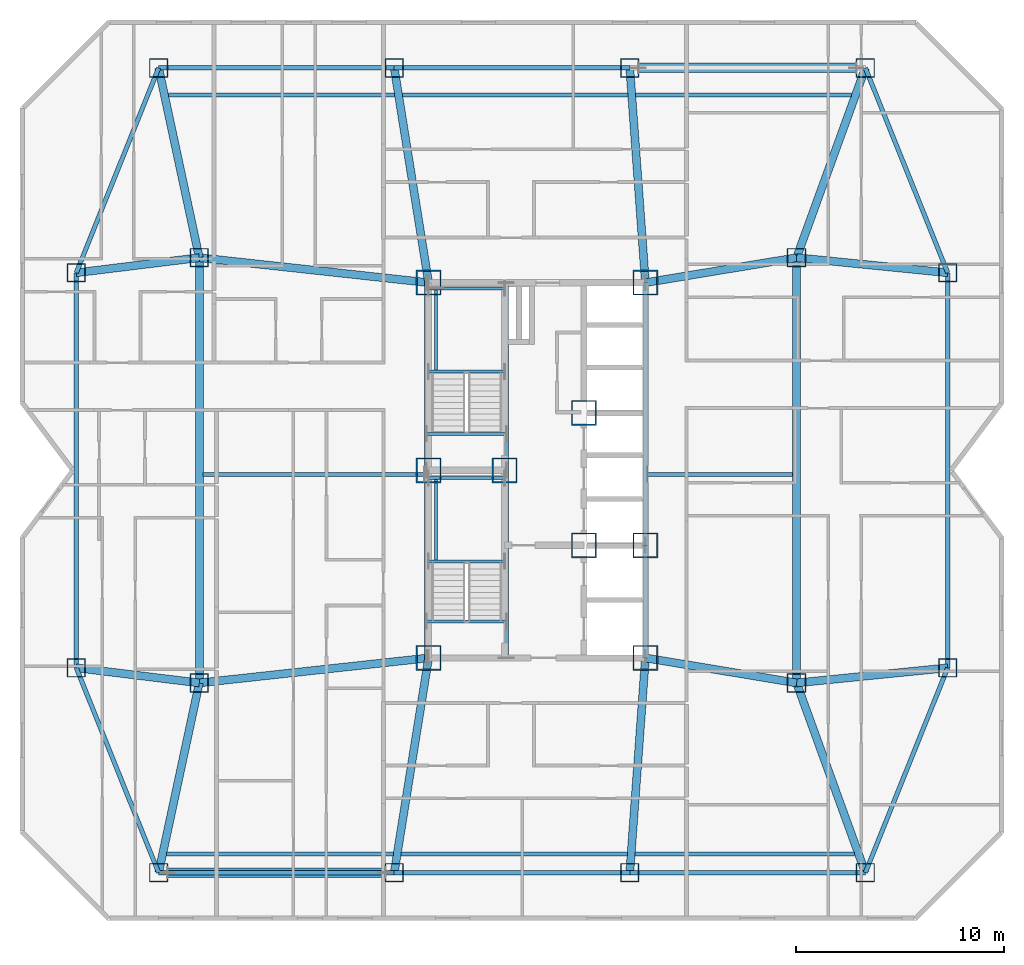
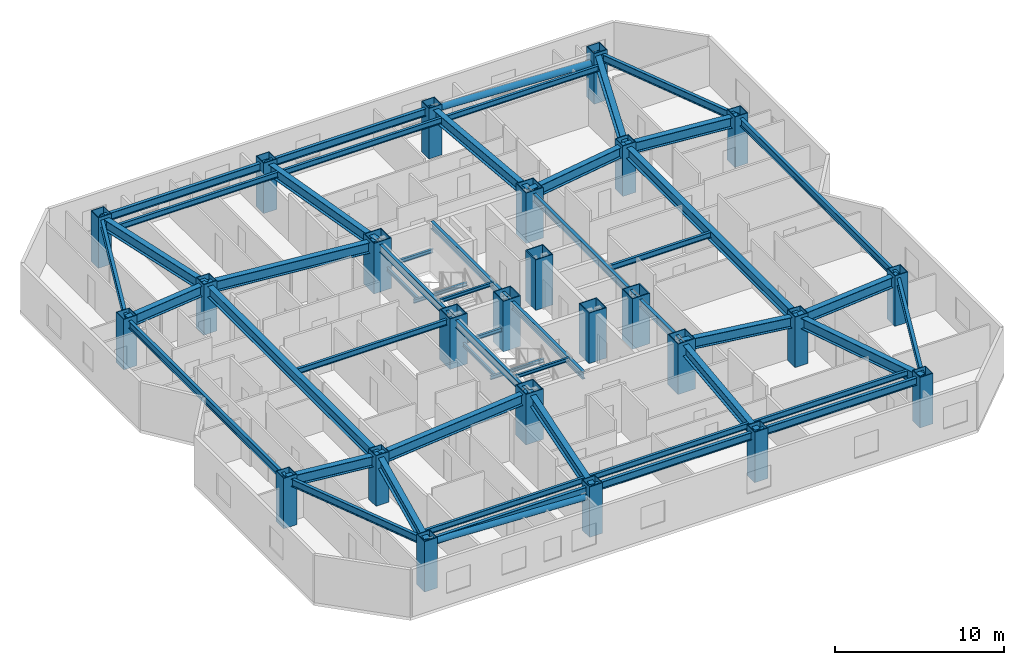
# One storey, part 1 of 12: 51 beams, 25 columns, 2 members.
"""IFC4 building model written with IfcOpenShell, lengths in metres."""

import ifcopenshell
import ifcopenshell.guid

model = None  # the IFC model being written
_history = None  # IfcOwnerHistory: only IFC2X3 demands one
_inside = {}  # id of a spatial element -> (the spatial element, [elements in it])
_under = {}  # id of a project, library or spatial element -> (it, [spatial elements below it])
_declared = {}  # id of a project -> (the project, [libraries it declares])
_typed = {}  # id of a type object -> (the type object, [elements of that type])
_made_of = {}  # id of a material, layer set ... -> (it, [elements and type objects made of it])


def new_model(schema):
    """Start an empty IFC model of exactly this schema.

    Asked for "IFC4X3", IfcOpenShell would pick the latest addendum, in which some entities
    have other attributes; the version numbers below select the first issue.
    IFC2X3 requires an IfcOwnerHistory on every rooted entity: one is made here for all.
    """
    global model, _history
    if schema == "IFC4X3":
        model = ifcopenshell.file(schema_version=(4, 3, 0, 0))
    else:
        model = ifcopenshell.file(schema=schema)
    _inside.clear()
    _under.clear()
    _declared.clear()
    _typed.clear()
    _made_of.clear()
    _history = None
    if model.schema == "IFC2X3":
        org = make("IfcOrganization", Name="unknown")
        user = make(
            "IfcPersonAndOrganization",
            ThePerson=make("IfcPerson", FamilyName="unknown"),
            TheOrganization=org,
        )
        app = make(
            "IfcApplication",
            ApplicationDeveloper=org,
            Version="unknown",
            ApplicationFullName="unknown",
            ApplicationIdentifier="unknown",
        )
        _history = make(
            "IfcOwnerHistory",
            OwningUser=user,
            OwningApplication=app,
            ChangeAction="ADDED",
            CreationDate=0,
        )
    return model


def make(cls, **values):
    """One entity of the class cls with the attributes given. An attribute that is None is left unset."""
    return model.create_entity(
        cls, **{name: value for name, value in values.items() if value is not None}
    )


def rooted(cls, **values):
    """An entity with a GlobalId (a new one), such as an element, a storey or a relation."""
    return make(cls, GlobalId=ifcopenshell.guid.new(), OwnerHistory=_history, **values)


def si_unit(unit_type, name, prefix=None):
    """IfcSIUnit, for example si_unit("LENGTHUNIT", "METRE", prefix="MILLI")."""
    return make("IfcSIUnit", UnitType=unit_type, Prefix=prefix, Name=name)


def assignment(units):
    """IfcUnitAssignment: the units of a project."""
    return None if units is None else make("IfcUnitAssignment", Units=units)


def point(xyz):
    """IfcCartesianPoint."""
    return None if xyz is None else make("IfcCartesianPoint", Coordinates=xyz)


def direction(xyz):
    """IfcDirection."""
    return None if xyz is None else make("IfcDirection", DirectionRatios=xyz)


def frame(location, z_axis=None, x_axis=None):
    """IfcAxis2Placement3D, a coordinate frame: its origin and axes. An axis left out is left unset."""
    return make(
        "IfcAxis2Placement3D",
        Location=point(location),
        Axis=direction(z_axis),
        RefDirection=direction(x_axis),
    )


def frame_2d(location, x_axis=None):
    """IfcAxis2Placement2D, a coordinate frame in the plane: its origin and x axis."""
    return make(
        "IfcAxis2Placement2D", Location=point(location), RefDirection=direction(x_axis)
    )


def origin():
    """The frame at (0, 0, 0) with its axes left unset."""
    return frame((0.0, 0.0, 0.0))


def origin_2d():
    """The frame at (0, 0) in the plane with its x axis left unset."""
    return frame_2d((0.0, 0.0))


def place(relative_to, where):
    """IfcLocalPlacement: puts the frame where relative to a parent placement (None: the world)."""
    return make(
        "IfcLocalPlacement", PlacementRelTo=relative_to, RelativePlacement=where
    )


def context(
    kind, dimensions, precision=None, world=None, true_north=None, identifier=None
):
    """IfcGeometricRepresentationContext, for example the 3D "Model" context."""
    return make(
        "IfcGeometricRepresentationContext",
        ContextIdentifier=identifier,
        ContextType=kind,
        CoordinateSpaceDimension=dimensions,
        Precision=precision,
        WorldCoordinateSystem=world,
        TrueNorth=true_north,
    )


def subcontext(parent, identifier, kind, view, scale=None):
    """IfcGeometricRepresentationSubContext, for example "Body" below "Model"."""
    return make(
        "IfcGeometricRepresentationSubContext",
        ContextIdentifier=identifier,
        ContextType=kind,
        ParentContext=parent,
        TargetScale=scale,
        TargetView=view,
    )


def project(units=None, contexts=None):
    """IfcProject with its units and contexts."""
    return rooted(
        "IfcProject",
        Name="project",
        RepresentationContexts=contexts,
        UnitsInContext=assignment(units),
    )


def spatial(cls, under=None, at=None, **own):
    """A site, building, storey or space (cls), placed at a placement, below another one or the project."""
    s = rooted(cls, ObjectPlacement=at, **own)
    if under is not None:
        _under.setdefault(under.id(), (under, []))[1].append(s)
    return s


def profile(cls, at=None, kind="AREA", **sizes):
    """A parametric profile (cls). Its sizes go by their IFC names, for example OverallWidth=200.0."""
    return make(cls, ProfileType=kind, Position=at, **sizes)


def hollow_rectangle(**sizes):
    """IfcRectangleHollowProfileDef."""
    return profile("IfcRectangleHollowProfileDef", **sizes)


def hollow_circle(**sizes):
    """IfcCircleHollowProfileDef."""
    return profile("IfcCircleHollowProfileDef", **sizes)


def i_section(**sizes):
    """IfcIShapeProfileDef."""
    return profile("IfcIShapeProfileDef", **sizes)


def extrude(swept, where, along, depth):
    """IfcExtrudedAreaSolid: the profile swept, set in the frame where, extruded along a direction by depth."""
    return make(
        "IfcExtrudedAreaSolid",
        SweptArea=swept,
        Position=where,
        ExtrudedDirection=direction(along),
        Depth=depth,
    )


def shape(context_of_items, identifier, shape_type, items):
    """IfcShapeRepresentation: the items that make up one representation, for example the "Body"."""
    return make(
        "IfcShapeRepresentation",
        ContextOfItems=context_of_items,
        RepresentationIdentifier=identifier,
        RepresentationType=shape_type,
        Items=items,
    )


def material(Name=None, Category=None):
    """IfcMaterial."""
    return make("IfcMaterial", Name=Name, Category=Category)


def material_profile(
    of_material, cross_section, Name=None, Category=None, Priority=None
):
    """IfcMaterialProfile: a cross section and its material."""
    return make(
        "IfcMaterialProfile",
        Name=Name,
        Material=of_material,
        Profile=cross_section,
        Priority=Priority,
        Category=Category,
    )


def profile_set(profiles, Name=None, composite=None):
    """IfcMaterialProfileSet."""
    return make(
        "IfcMaterialProfileSet",
        Name=Name,
        MaterialProfiles=profiles,
        CompositeProfile=composite,
    )


def made_of(thing, what):
    """Note that an element or type object is made of a material, layer set ...; save() writes the relation."""
    if what is not None:
        _made_of.setdefault(what.id(), (what, []))[1].append(thing)
    return thing


def type_object(cls, material=None, **own):
    """A type object (cls), such as IfcWallType, which elements share."""
    return made_of(rooted(cls, **own), material)


def element(
    cls,
    number,
    at=None,
    inside=None,
    cuts=None,
    type_object=None,
    material=None,
    context=None,
    identifier="Body",
    shape_type=None,
    held_by="IfcProductDefinitionShape",
    body=None,
    shapes=None,
    **own,
):
    """One element of the class cls, such as IfcWall. Its Tag is "e" and its number.

    at: its placement. inside: the storey or other place that contains it. cuts: it is an
    opening in that element (IfcRelVoidsElement). A single representation is given by context,
    identifier, shape_type and body (its items); several are given by shapes. held_by: the class
    of the entity that holds the representations. save() writes the other relations.
    """
    e = rooted(cls, Tag="e%d" % number, ObjectPlacement=at, **own)
    if body is not None:
        shapes = [shape(context, identifier, shape_type, body)]
    if shapes is not None:
        e.Representation = make(held_by, Representations=shapes)
    if inside is not None:
        _inside.setdefault(inside.id(), (inside, []))[1].append(e)
    if cuts is not None:
        rooted(
            "IfcRelVoidsElement", RelatingBuildingElement=cuts, RelatedOpeningElement=e
        )
    if type_object is not None:
        _typed.setdefault(type_object.id(), (type_object, []))[1].append(e)
    return made_of(e, material)


def aggregate(whole, parts):
    """IfcRelAggregates: a whole, such as a stair, and the parts it consists of."""
    return rooted("IfcRelAggregates", RelatingObject=whole, RelatedObjects=parts)


def save(model, path):
    """Write the relations noted so far, then the file.

    IfcRelAggregates (storeys below a building ...), IfcRelContainedInSpatialStructure (elements
    in a storey), IfcRelDefinesByType, IfcRelAssociatesMaterial and IfcRelDeclares: one each for
    every whole, place, type object, material and project.
    """
    for whole, parts in _under.values():
        aggregate(whole, parts)
    for where, things in _inside.values():
        rooted(
            "IfcRelContainedInSpatialStructure",
            RelatedElements=things,
            RelatingStructure=where,
        )
    for kind, things in _typed.values():
        rooted("IfcRelDefinesByType", RelatedObjects=things, RelatingType=kind)
    for what, things in _made_of.values():
        rooted("IfcRelAssociatesMaterial", RelatedObjects=things, RelatingMaterial=what)
    for by, libraries in _declared.values():
        rooted("IfcRelDeclares", RelatingContext=by, RelatedDefinitions=libraries)
    model.write(path)


model = new_model("IFC4")

# Units and contexts
model_context = context("Model", 3, precision=1e-05, world=origin(), true_north=direction((0.0, 1.0)))
body_context = subcontext(model_context, "Body", "Model", "MODEL_VIEW")
ifc_project = project(units=[si_unit("LENGTHUNIT", "METRE"), si_unit("AREAUNIT", "SQUARE_METRE"), si_unit("VOLUMEUNIT", "CUBIC_METRE"), si_unit("PLANEANGLEUNIT", "RADIAN"), si_unit("MASSUNIT", "GRAM", prefix="KILO")], contexts=[model_context])

# Site, building, storey
site_placement = place(None, origin())
site = spatial("IfcSite", under=ifc_project, at=site_placement, CompositionType="ELEMENT")
building_placement = place(site_placement, origin())
building = spatial("IfcBuilding", under=site, at=building_placement, Name="Khamvora Tower", CompositionType="ELEMENT")
storey_placement = place(building_placement, frame((0.0, 0.0, 138.39990234375)))
storey = spatial("IfcBuildingStorey", under=building, at=storey_placement, Name="L35", CompositionType="ELEMENT", Elevation=138.39990234375)

# Columns
ifc_material_1 = material(Name="Steel S460", Category="steel")
ifc_material_profile_1 = material_profile(ifc_material_1, hollow_rectangle(XDim=1.199951171875, YDim=1.199951171875, WallThickness=0.06005859375, at=origin_2d()), Name="BOX1200x1200x60")
ifc_profile_set_1 = profile_set([ifc_material_profile_1], Name="Steel S460")
column_type_1 = type_object("IfcColumnType", Name="COL-BOX1200", PredefinedType="COLUMN", material=ifc_profile_set_1)
for number, where, z_axis, x_axis, name in (
    (1, (29.0, 19.0, 0.0), (0.0, 0.0, 1.0), (1.0, 0.0, 0.0), "L35 plumb core spine column SC1"),
    (2, (32.64990234375, 28.0, 0.0), (0.0, 0.0, 1.0), (1.0, 0.0, 0.0), "L35 plumb core spine column SC2"),
    (3, (39.39990234375, 19.0, 0.0), (0.0, 0.0, 1.0), (1.0, 0.0, 0.0), "L35 plumb core spine column SC3"),
    (4, (29.0, 28.0, 0.0), (0.0, 0.0, 1.0), (1.0, 0.0, 0.0), "L35 plumb core spine column SC4"),
    (5, (36.449951171875, 24.39990234375, 0.0), (0.0, 0.0, 1.0), (1.0, 0.0, 0.0), "L35 plumb core spine column SC5"),
    (6, (39.39990234375, 24.39990234375, 0.0), (0.0, 0.0, 1.0), (1.0, 0.0, 0.0), "L35 plumb core spine column SC6"),
    (7, (29.0, 37.0, 0.0), (0.0, 0.0, 1.0), (1.0, 0.0, 0.0), "L35 plumb core spine column SC7"),
    (8, (36.449951171875, 30.75, 0.0), (0.0, 0.0, 1.0), (1.0, 0.0, 0.0), "L35 plumb core spine column SC8"),
    (9, (39.39990234375, 37.0, 0.0), (0.0, 0.0, 1.0), (1.0, 0.0, 0.0), "L35 plumb core spine column SC9"),
):
    element("IfcColumn", number, at=place(storey_placement, frame(where, z_axis=z_axis, x_axis=x_axis)), inside=storey, type_object=column_type_1, Name=name, PredefinedType="COLUMN", context=body_context, shape_type="SweptSolid", body=[
        extrude(hollow_rectangle(XDim=1.199951171875, YDim=1.199951171875, WallThickness=0.06005859375, at=origin_2d()), origin(), (0.0, 0.0, 1.0), 3.650146484375),
    ])
ifc_material_2 = material(Name="Steel S355", Category="steel")
ifc_material_profile_2 = material_profile(ifc_material_2, hollow_rectangle(XDim=0.89990234375, YDim=0.89990234375, WallThickness=0.044921875, at=origin_2d()), Name="BOX900x900x45")
ifc_profile_set_2 = profile_set([ifc_material_profile_2], Name="Steel S355")
column_type_2 = type_object("IfcColumnType", Name="COL-BOX900", PredefinedType="COLUMN", material=ifc_profile_set_2)
for number, where, z_axis, x_axis, name in (
    (10, (16.050048828125, 8.699951171875, 0.0), (0.0, 0.0, 1.0), (1.0, 0.0, 0.0), "L35 structural frame column S1"),
    (11, (27.35009765625, 8.699951171875, 0.0), (0.0, 0.0, 1.0), (1.0, 0.0, 0.0), "L35 structural frame column S2"),
    (12, (38.64990234375, 8.699951171875, 0.0), (0.0, 0.0, 1.0), (1.0, 0.0, 0.0), "L35 structural frame column S3"),
    (13, (49.949951171875, 8.699951171875, 0.0), (0.0, 0.0, 1.0), (1.0, 0.0, 0.0), "L35 structural frame column S4"),
    (14, (16.050048828125, 47.300048828125, 0.0), (0.0, 0.0, 1.0), (1.0, 0.0, 0.0), "L35 structural frame column N1"),
    (15, (27.35009765625, 47.300048828125, 0.0), (0.0, 0.0, 1.0), (1.0, 0.0, 0.0), "L35 structural frame column N2"),
    (16, (38.64990234375, 47.300048828125, 0.0), (0.0, 0.0, 1.0), (1.0, 0.0, 0.0), "L35 structural frame column N3"),
    (17, (49.949951171875, 47.300048828125, 0.0), (0.0, 0.0, 1.0), (1.0, 0.0, 0.0), "L35 structural frame column N4"),
    (18, (12.10009765625, 18.52490234375, 0.0), (0.0, 0.0, 1.0), (1.0, 0.0, 0.0), "L35 structural frame column W1"),
    (19, (12.10009765625, 37.47509765625, 0.0), (0.0, 0.0, 1.0), (1.0, 0.0, 0.0), "L35 structural frame column W2"),
    (20, (53.89990234375, 18.52490234375, 0.0), (0.0, 0.0, 1.0), (1.0, 0.0, 0.0), "L35 structural frame column E1"),
    (21, (53.89990234375, 37.47509765625, 0.0), (0.0, 0.0, 1.0), (1.0, 0.0, 0.0), "L35 structural frame column E2"),
    (22, (18.0, 17.800048828125, 0.0), (0.0, 0.0, 1.0), (1.0, 0.0, 0.0), "L35 structural frame column MW1"),
    (23, (18.0, 38.199951171875, 0.0), (0.0, 0.0, 1.0), (1.0, 0.0, 0.0), "L35 structural frame column MW2"),
    (24, (46.64990234375, 17.800048828125, 0.0), (0.0, 0.0, 1.0), (1.0, 0.0, 0.0), "L35 structural frame column M1"),
    (25, (46.64990234375, 38.199951171875, 0.0), (0.0, 0.0, 1.0), (1.0, 0.0, 0.0), "L35 structural frame column M2"),
):
    element("IfcColumn", number, at=place(storey_placement, frame(where, z_axis=z_axis, x_axis=x_axis)), inside=storey, type_object=column_type_2, Name=name, PredefinedType="COLUMN", context=body_context, shape_type="SweptSolid", body=[
        extrude(hollow_rectangle(XDim=0.89990234375, YDim=0.89990234375, WallThickness=0.044921875, at=origin_2d()), origin(), (0.0, 0.0, 1.0), 3.650146484375),
    ])

# Beams
ifc_material_profile_3 = material_profile(ifc_material_2, i_section(OverallWidth=0.177978515625, OverallDepth=0.406982421875, WebThickness=0.008056640625, FlangeThickness=0.012939453125, FilletRadius=0.010009765625, at=origin_2d()), Name="W410x60")
ifc_profile_set_3 = profile_set([ifc_material_profile_3], Name="Steel S355")
beam_type_1 = type_object("IfcBeamType", Name="BM-JS-W410x60", PredefinedType="JOIST", material=ifc_profile_set_3)
beam_1_placement = place(storey_placement, frame((16.43310546875, 9.60009765625, 3.22705078125), z_axis=(1.0, 0.0, 0.0), x_axis=(0.0, 1.0, 0.0)))
element("IfcBeam", 26, at=beam_1_placement, inside=storey, type_object=beam_type_1, Name="L35 secondary floor joist 01", PredefinedType="JOIST", context=body_context, shape_type="SweptSolid", body=[
    extrude(i_section(OverallWidth=0.177978515625, OverallDepth=0.406982421875, WebThickness=0.008056640625, FlangeThickness=0.012939453125, FilletRadius=0.010009765625, at=origin_2d()), origin(), (0.0, 0.0, 1.0), 10.872802734375),
])
beam_2_placement = place(storey_placement, frame((27.681884765625, 9.60009765625, 3.22705078125), z_axis=(1.0, 0.0, 0.0), x_axis=(0.0, 1.0, 0.0)))
element("IfcBeam", 27, at=beam_2_placement, inside=storey, type_object=beam_type_1, Name="L35 secondary floor joist 02", PredefinedType="JOIST", context=body_context, shape_type="SweptSolid", body=[
    extrude(i_section(OverallWidth=0.177978515625, OverallDepth=0.406982421875, WebThickness=0.008056640625, FlangeThickness=0.012939453125, FilletRadius=0.010009765625, at=origin_2d()), origin(), (0.0, 0.0, 1.0), 10.84814453125),
])
beam_3_placement = place(storey_placement, frame((38.902099609375, 9.60009765625, 3.22705078125), z_axis=(1.0, 0.0, 0.0), x_axis=(0.0, 1.0, 0.0)))
element("IfcBeam", 28, at=beam_3_placement, inside=storey, type_object=beam_type_1, Name="L35 secondary floor joist 03", PredefinedType="JOIST", context=body_context, shape_type="SweptSolid", body=[
    extrude(i_section(OverallWidth=0.177978515625, OverallDepth=0.406982421875, WebThickness=0.008056640625, FlangeThickness=0.012939453125, FilletRadius=0.010009765625, at=origin_2d()), origin(), (0.0, 0.0, 1.0), 10.52392578125),
])
beam_4_placement = place(storey_placement, frame((18.18603515625, 27.800048828125, 3.22705078125), z_axis=(1.0, 0.0, 0.0), x_axis=(0.0, 1.0, 0.0)))
element("IfcBeam", 29, at=beam_4_placement, inside=storey, type_object=beam_type_1, Name="L35 secondary floor joist 04", PredefinedType="JOIST", context=body_context, shape_type="SweptSolid", body=[
    extrude(i_section(OverallWidth=0.177978515625, OverallDepth=0.406982421875, WebThickness=0.008056640625, FlangeThickness=0.012939453125, FilletRadius=0.010009765625, at=origin_2d()), origin(), (0.0, 0.0, 1.0), 10.614013671875),
])
beam_5_placement = place(storey_placement, frame((39.4990234375, 27.800048828125, 3.22705078125), z_axis=(1.0, 0.0, 0.0), x_axis=(0.0, 1.0, 0.0)))
element("IfcBeam", 30, at=beam_5_placement, inside=storey, type_object=beam_type_1, Name="L35 secondary floor joist 05", PredefinedType="JOIST", context=body_context, shape_type="SweptSolid", body=[
    extrude(i_section(OverallWidth=0.177978515625, OverallDepth=0.406982421875, WebThickness=0.008056640625, FlangeThickness=0.012939453125, FilletRadius=0.010009765625, at=origin_2d()), origin(), (0.0, 0.0, 1.0), 6.966064453125),
])
beam_6_placement = place(storey_placement, frame((16.51806640625, 46.0, 3.22705078125), z_axis=(1.0, 0.0, 0.0), x_axis=(0.0, 1.0, 0.0)))
element("IfcBeam", 31, at=beam_6_placement, inside=storey, type_object=beam_type_1, Name="L35 secondary floor joist 06", PredefinedType="JOIST", context=body_context, shape_type="SweptSolid", body=[
    extrude(i_section(OverallWidth=0.177978515625, OverallDepth=0.406982421875, WebThickness=0.008056640625, FlangeThickness=0.012939453125, FilletRadius=0.010009765625, at=origin_2d()), origin(), (0.0, 0.0, 1.0), 10.85205078125),
])
beam_7_placement = place(storey_placement, frame((27.74609375, 46.0, 3.22705078125), z_axis=(1.0, 0.0, 0.0), x_axis=(0.0, 1.0, 0.0)))
element("IfcBeam", 32, at=beam_7_placement, inside=storey, type_object=beam_type_1, Name="L35 secondary floor joist 07", PredefinedType="JOIST", context=body_context, shape_type="SweptSolid", body=[
    extrude(i_section(OverallWidth=0.177978515625, OverallDepth=0.406982421875, WebThickness=0.008056640625, FlangeThickness=0.012939453125, FilletRadius=0.010009765625, at=origin_2d()), origin(), (0.0, 0.0, 1.0), 10.81298828125),
])
beam_8_placement = place(storey_placement, frame((38.930908203125, 46.0, 3.22705078125), z_axis=(1.0, 0.0, 0.0), x_axis=(0.0, 1.0, 0.0)))
element("IfcBeam", 33, at=beam_8_placement, inside=storey, type_object=beam_type_1, Name="L35 secondary floor joist 08", PredefinedType="JOIST", context=body_context, shape_type="SweptSolid", body=[
    extrude(i_section(OverallWidth=0.177978515625, OverallDepth=0.406982421875, WebThickness=0.008056640625, FlangeThickness=0.012939453125, FilletRadius=0.010009765625, at=origin_2d()), origin(), (0.0, 0.0, 1.0), 10.35009765625),
])
ifc_material_profile_4 = material_profile(ifc_material_2, i_section(OverallWidth=0.14697265625, OverallDepth=0.261962890625, WebThickness=0.007080078125, FlangeThickness=0.010986328125, FilletRadius=0.008056640625, at=origin_2d()), Name="W250x39")
ifc_profile_set_4 = profile_set([ifc_material_profile_4], Name="Steel S355")
beam_type_2 = type_object("IfcBeamType", Name="BM-LN-W250x39", PredefinedType="LINTEL", material=ifc_profile_set_4)
for number, where, z_axis, x_axis, name in (
    (34, (29.0, 23.635009765625, 1.494140625), (1.0, 0.0, 0.0), (0.0, 1.0, 0.0), "L35 ST-01 half-landing support beam 1.1"),
    (35, (29.0, 27.6298828125, 1.494140625), (1.0, 0.0, 0.0), (0.0, 1.0, 0.0), "L35 ST-01 half-landing support beam 1.2"),
):
    element("IfcBeam", number, at=place(storey_placement, frame(where, z_axis=z_axis, x_axis=x_axis)), inside=storey, type_object=beam_type_2, Name=name, PredefinedType="LINTEL", context=body_context, shape_type="SweptSolid", body=[
        extrude(i_section(OverallWidth=0.14697265625, OverallDepth=0.261962890625, WebThickness=0.007080078125, FlangeThickness=0.010986328125, FilletRadius=0.008056640625, at=origin_2d()), origin(), (0.0, 0.0, 1.0), 3.64990234375),
    ])
beam_9_placement = place(storey_placement, frame((29.35009765625, 23.635009765625, 1.494140625), z_axis=(0.0, 1.0, 0.0), x_axis=(-1.0, 0.0, 0.0)))
element("IfcBeam", 36, at=beam_9_placement, inside=storey, type_object=beam_type_2, Name="L35 ST-01 half-landing edge stringer 1", PredefinedType="LINTEL", context=body_context, shape_type="SweptSolid", body=[
    extrude(i_section(OverallWidth=0.14697265625, OverallDepth=0.261962890625, WebThickness=0.007080078125, FlangeThickness=0.010986328125, FilletRadius=0.008056640625, at=origin_2d()), origin(), (0.0, 0.0, 1.0), 3.994873046875),
])
for number, where, z_axis, x_axis, name in (
    (37, (29.0, 32.735107421875, 1.494140625), (1.0, 0.0, 0.0), (0.0, 1.0, 0.0), "L35 ST-02 half-landing support beam 1.1"),
    (38, (29.0, 36.72998046875, 1.494140625), (1.0, 0.0, 0.0), (0.0, 1.0, 0.0), "L35 ST-02 half-landing support beam 1.2"),
):
    element("IfcBeam", number, at=place(storey_placement, frame(where, z_axis=z_axis, x_axis=x_axis)), inside=storey, type_object=beam_type_2, Name=name, PredefinedType="LINTEL", context=body_context, shape_type="SweptSolid", body=[
        extrude(i_section(OverallWidth=0.14697265625, OverallDepth=0.261962890625, WebThickness=0.007080078125, FlangeThickness=0.010986328125, FilletRadius=0.008056640625, at=origin_2d()), origin(), (0.0, 0.0, 1.0), 3.64990234375),
    ])
beam_10_placement = place(storey_placement, frame((29.35009765625, 32.735107421875, 1.494140625), z_axis=(0.0, 1.0, 0.0), x_axis=(-1.0, 0.0, 0.0)))
element("IfcBeam", 39, at=beam_10_placement, inside=storey, type_object=beam_type_2, Name="L35 ST-02 half-landing edge stringer 1", PredefinedType="LINTEL", context=body_context, shape_type="SweptSolid", body=[
    extrude(i_section(OverallWidth=0.14697265625, OverallDepth=0.261962890625, WebThickness=0.007080078125, FlangeThickness=0.010986328125, FilletRadius=0.008056640625, at=origin_2d()), origin(), (0.0, 0.0, 1.0), 3.994873046875),
])
for number, where, z_axis, x_axis, name in (
    (40, (28.89990234375, 20.75, 3.30419921875), (1.0, 0.0, 0.0), (0.0, 1.0, 0.0), "L35 exit stair ST-01 landing trimmer beam"),
    (41, (28.89990234375, 29.75, 3.30419921875), (1.0, 0.0, 0.0), (0.0, 1.0, 0.0), "L35 exit stair ST-02 landing trimmer beam"),
):
    element("IfcBeam", number, at=place(storey_placement, frame(where, z_axis=z_axis, x_axis=x_axis)), inside=storey, type_object=beam_type_2, Name=name, PredefinedType="LINTEL", context=body_context, shape_type="SweptSolid", body=[
        extrude(i_section(OverallWidth=0.14697265625, OverallDepth=0.261962890625, WebThickness=0.007080078125, FlangeThickness=0.010986328125, FilletRadius=0.008056640625, at=origin_2d()), origin(), (0.0, 0.0, 1.0), 3.830078125),
    ])
ifc_material_profile_5 = material_profile(ifc_material_2, i_section(OverallWidth=0.381103515625, OverallDepth=0.77294921875, WebThickness=0.01708984375, FlangeThickness=0.027099609375, FilletRadius=0.01806640625, at=origin_2d()), Name="W760x257")
ifc_profile_set_5 = profile_set([ifc_material_profile_5], Name="Steel S355")
beam_type_3 = type_object("IfcBeamType", Name="BM-PG-W760x257", PredefinedType="BEAM", material=ifc_profile_set_5)
for number, where, z_axis, x_axis, name in (
    (42, (46.64990234375, 17.800048828125, 3.044189453125), (0.0, 1.0, 0.0), (-1.0, 0.0, 0.0), "L35 longitudinal frame girder M1-M2"),
    (43, (18.0, 17.800048828125, 3.044189453125), (0.0, 1.0, 0.0), (-1.0, 0.0, 0.0), "L35 longitudinal frame girder MW1-MW2"),
):
    element("IfcBeam", number, at=place(storey_placement, frame(where, z_axis=z_axis, x_axis=x_axis)), inside=storey, type_object=beam_type_3, Name=name, PredefinedType="BEAM", context=body_context, shape_type="SweptSolid", body=[
        extrude(i_section(OverallWidth=0.381103515625, OverallDepth=0.77294921875, WebThickness=0.01708984375, FlangeThickness=0.027099609375, FilletRadius=0.01806640625, at=origin_2d()), origin(), (0.0, 0.0, 1.0), 20.39990234375),
    ])
beam_11_placement = place(storey_placement, frame((18.0, 17.800048828125, 3.044189453125), z_axis=(-0.209521922673, -0.977803949634, 0.0), x_axis=(0.977803949634, -0.209521922673, 0.0)))
element("IfcBeam", 44, at=beam_11_placement, inside=storey, type_object=beam_type_3, Name="L35 primary floor girder S1", PredefinedType="BEAM", context=body_context, shape_type="SweptSolid", body=[
    extrude(i_section(OverallWidth=0.381103515625, OverallDepth=0.77294921875, WebThickness=0.01708984375, FlangeThickness=0.027099609375, FilletRadius=0.01806640625, at=origin_2d()), origin(), (0.0, 0.0, 1.0), 9.306640625),
])
beam_12_placement = place(storey_placement, frame((29.0, 19.0, 3.044189453125), z_axis=(-0.158167584066, -0.987412282358, 0.0), x_axis=(0.987412282358, -0.158167584066, 0.0)))
element("IfcBeam", 45, at=beam_12_placement, inside=storey, type_object=beam_type_3, Name="L35 primary floor girder S2", PredefinedType="BEAM", context=body_context, shape_type="SweptSolid", body=[
    extrude(i_section(OverallWidth=0.381103515625, OverallDepth=0.77294921875, WebThickness=0.01708984375, FlangeThickness=0.027099609375, FilletRadius=0.01806640625, at=origin_2d()), origin(), (0.0, 0.0, 1.0), 10.431396484375),
])
beam_13_placement = place(storey_placement, frame((39.39990234375, 19.0, 3.044189453125), z_axis=(-0.07262291808, -0.997359469685, 0.0), x_axis=(0.997359469685, -0.07262291808, 0.0)))
element("IfcBeam", 46, at=beam_13_placement, inside=storey, type_object=beam_type_3, Name="L35 primary floor girder S3", PredefinedType="BEAM", context=body_context, shape_type="SweptSolid", body=[
    extrude(i_section(OverallWidth=0.381103515625, OverallDepth=0.77294921875, WebThickness=0.01708984375, FlangeThickness=0.027099609375, FilletRadius=0.01806640625, at=origin_2d()), origin(), (0.0, 0.0, 1.0), 10.327392578125),
])
beam_14_placement = place(storey_placement, frame((46.64990234375, 17.800048828125, 3.044189453125), z_axis=(0.340914681567, -0.940094239899, 0.0), x_axis=(0.940094239899, 0.340914681567, 0.0)))
element("IfcBeam", 47, at=beam_14_placement, inside=storey, type_object=beam_type_3, Name="L35 primary floor girder S4", PredefinedType="BEAM", context=body_context, shape_type="SweptSolid", body=[
    extrude(i_section(OverallWidth=0.381103515625, OverallDepth=0.77294921875, WebThickness=0.01708984375, FlangeThickness=0.027099609375, FilletRadius=0.01806640625, at=origin_2d()), origin(), (0.0, 0.0, 1.0), 9.679931640625),
])
beam_15_placement = place(storey_placement, frame((18.0, 38.199951171875, 3.044189453125), z_axis=(-0.209521922673, 0.977803949634, 0.0), x_axis=(-0.977803949634, -0.209521922673, 0.0)))
element("IfcBeam", 48, at=beam_15_placement, inside=storey, type_object=beam_type_3, Name="L35 primary floor girder N1", PredefinedType="BEAM", context=body_context, shape_type="SweptSolid", body=[
    extrude(i_section(OverallWidth=0.381103515625, OverallDepth=0.77294921875, WebThickness=0.01708984375, FlangeThickness=0.027099609375, FilletRadius=0.01806640625, at=origin_2d()), origin(), (0.0, 0.0, 1.0), 9.306640625),
])
beam_16_placement = place(storey_placement, frame((29.0, 37.0, 3.044189453125), z_axis=(-0.158167584066, 0.987412282358, 0.0), x_axis=(-0.987412282358, -0.158167584066, 0.0)))
element("IfcBeam", 49, at=beam_16_placement, inside=storey, type_object=beam_type_3, Name="L35 primary floor girder N2", PredefinedType="BEAM", context=body_context, shape_type="SweptSolid", body=[
    extrude(i_section(OverallWidth=0.381103515625, OverallDepth=0.77294921875, WebThickness=0.01708984375, FlangeThickness=0.027099609375, FilletRadius=0.01806640625, at=origin_2d()), origin(), (0.0, 0.0, 1.0), 10.431396484375),
])
beam_17_placement = place(storey_placement, frame((39.39990234375, 37.0, 3.044189453125), z_axis=(-0.07262291808, 0.997359469685, 0.0), x_axis=(-0.997359469685, -0.07262291808, 0.0)))
element("IfcBeam", 50, at=beam_17_placement, inside=storey, type_object=beam_type_3, Name="L35 primary floor girder N3", PredefinedType="BEAM", context=body_context, shape_type="SweptSolid", body=[
    extrude(i_section(OverallWidth=0.381103515625, OverallDepth=0.77294921875, WebThickness=0.01708984375, FlangeThickness=0.027099609375, FilletRadius=0.01806640625, at=origin_2d()), origin(), (0.0, 0.0, 1.0), 10.327392578125),
])
beam_18_placement = place(storey_placement, frame((46.64990234375, 38.199951171875, 3.044189453125), z_axis=(0.340914681567, 0.940094239899, 0.0), x_axis=(-0.940094239899, 0.340914681567, 0.0)))
element("IfcBeam", 51, at=beam_18_placement, inside=storey, type_object=beam_type_3, Name="L35 primary floor girder N4", PredefinedType="BEAM", context=body_context, shape_type="SweptSolid", body=[
    extrude(i_section(OverallWidth=0.381103515625, OverallDepth=0.77294921875, WebThickness=0.01708984375, FlangeThickness=0.027099609375, FilletRadius=0.01806640625, at=origin_2d()), origin(), (0.0, 0.0, 1.0), 9.679931640625),
])
for number, where, z_axis, x_axis, name in (
    (52, (18.0, 17.800048828125, 3.044189453125), (-0.992537264608, 0.12194170068, 0.0), (-0.12194170068, -0.992537264608, 0.0), "L35 primary floor girder W1"),
    (53, (18.0, 38.199951171875, 3.044189453125), (-0.992537264608, -0.12194170068, 0.0), (0.12194170068, -0.992537264608, 0.0), "L35 primary floor girder W2"),
):
    element("IfcBeam", number, at=place(storey_placement, frame(where, z_axis=z_axis, x_axis=x_axis)), inside=storey, type_object=beam_type_3, Name=name, PredefinedType="BEAM", context=body_context, shape_type="SweptSolid", body=[
        extrude(i_section(OverallWidth=0.381103515625, OverallDepth=0.77294921875, WebThickness=0.01708984375, FlangeThickness=0.027099609375, FilletRadius=0.01806640625, at=origin_2d()), origin(), (0.0, 0.0, 1.0), 5.9443359375),
    ])
for number, where, z_axis, x_axis, name in (
    (54, (46.64990234375, 17.800048828125, 3.044189453125), (0.995039180556, 0.099483813546, 0.0), (-0.099483813546, 0.995039180556, 0.0), "L35 primary floor girder E1"),
    (55, (46.64990234375, 38.199951171875, 3.044189453125), (0.995039180556, -0.099483813546, 0.0), (0.099483813546, 0.995039180556, 0.0), "L35 primary floor girder E2"),
):
    element("IfcBeam", number, at=place(storey_placement, frame(where, z_axis=z_axis, x_axis=x_axis)), inside=storey, type_object=beam_type_3, Name=name, PredefinedType="BEAM", context=body_context, shape_type="SweptSolid", body=[
        extrude(i_section(OverallWidth=0.381103515625, OverallDepth=0.77294921875, WebThickness=0.01708984375, FlangeThickness=0.027099609375, FilletRadius=0.01806640625, at=origin_2d()), origin(), (0.0, 0.0, 1.0), 7.2861328125),
    ])
for number, where, z_axis, x_axis, name in (
    (56, (29.0, 19.0, 3.044189453125), (-0.994102652327, -0.108443149329, 0.0), (0.108443149329, -0.994102652327, 0.0), "L35 primary floor girder MW1"),
    (57, (29.0, 37.0, 3.044189453125), (-0.994102652327, 0.108443149329, 0.0), (-0.108443149329, -0.994102652327, 0.0), "L35 primary floor girder MW2"),
):
    element("IfcBeam", number, at=place(storey_placement, frame(where, z_axis=z_axis, x_axis=x_axis)), inside=storey, type_object=beam_type_3, Name=name, PredefinedType="BEAM", context=body_context, shape_type="SweptSolid", body=[
        extrude(i_section(OverallWidth=0.381103515625, OverallDepth=0.77294921875, WebThickness=0.01708984375, FlangeThickness=0.027099609375, FilletRadius=0.01806640625, at=origin_2d()), origin(), (0.0, 0.0, 1.0), 11.065185546875),
    ])
for number, where, z_axis, x_axis, name in (
    (58, (39.39990234375, 19.0, 3.044189453125), (0.986578268552, -0.163289068896, 0.0), (0.163289068896, 0.986578268552, 0.0), "L35 primary floor girder M1"),
    (59, (39.39990234375, 37.0, 3.044189453125), (0.986578268552, 0.163289068896, 0.0), (-0.163289068896, 0.986578268552, 0.0), "L35 primary floor girder M2"),
):
    element("IfcBeam", number, at=place(storey_placement, frame(where, z_axis=z_axis, x_axis=x_axis)), inside=storey, type_object=beam_type_3, Name=name, PredefinedType="BEAM", context=body_context, shape_type="SweptSolid", body=[
        extrude(i_section(OverallWidth=0.381103515625, OverallDepth=0.77294921875, WebThickness=0.01708984375, FlangeThickness=0.027099609375, FilletRadius=0.01806640625, at=origin_2d()), origin(), (0.0, 0.0, 1.0), 7.3486328125),
    ])
ifc_material_profile_6 = material_profile(ifc_material_2, i_section(OverallWidth=0.2119140625, OverallDepth=0.5439453125, WebThickness=0.012939453125, FlangeThickness=0.02099609375, FilletRadius=0.013916015625, at=origin_2d()), Name="W530x123")
ifc_profile_set_6 = profile_set([ifc_material_profile_6], Name="Steel S355")
beam_type_4 = type_object("IfcBeamType", Name="BM-SP-W530x123", PredefinedType="SPANDREL", material=ifc_profile_set_6)
beam_19_placement = place(storey_placement, frame((12.10009765625, 18.52490234375, 3.158203125), z_axis=(0.373015921536, -0.927824941614, 0.0), x_axis=(0.927824941614, 0.373015921536, 0.0)))
element("IfcBeam", 60, at=beam_19_placement, inside=storey, type_object=beam_type_4, Name="L35 perimeter spandrel beam W1-S1", PredefinedType="SPANDREL", context=body_context, shape_type="SweptSolid", body=[
    extrude(i_section(OverallWidth=0.2119140625, OverallDepth=0.5439453125, WebThickness=0.012939453125, FlangeThickness=0.02099609375, FilletRadius=0.013916015625, at=origin_2d()), origin(), (0.0, 0.0, 1.0), 10.589111328125),
])
beam_20_placement = place(storey_placement, frame((16.050048828125, 8.699951171875, 3.158203125), z_axis=(1.0, 0.0, 0.0), x_axis=(0.0, 1.0, 0.0)))
element("IfcBeam", 61, at=beam_20_placement, inside=storey, type_object=beam_type_4, Name="L35 perimeter spandrel beam S1-S2", PredefinedType="SPANDREL", context=body_context, shape_type="SweptSolid", body=[
    extrude(i_section(OverallWidth=0.2119140625, OverallDepth=0.5439453125, WebThickness=0.012939453125, FlangeThickness=0.02099609375, FilletRadius=0.013916015625, at=origin_2d()), origin(), (0.0, 0.0, 1.0), 11.300048828125),
])
beam_21_placement = place(storey_placement, frame((27.35009765625, 8.699951171875, 3.158203125), z_axis=(1.0, 0.0, 0.0), x_axis=(0.0, 1.0, 0.0)))
element("IfcBeam", 62, at=beam_21_placement, inside=storey, type_object=beam_type_4, Name="L35 perimeter spandrel beam S2-S3", PredefinedType="SPANDREL", context=body_context, shape_type="SweptSolid", body=[
    extrude(i_section(OverallWidth=0.2119140625, OverallDepth=0.5439453125, WebThickness=0.012939453125, FlangeThickness=0.02099609375, FilletRadius=0.013916015625, at=origin_2d()), origin(), (0.0, 0.0, 1.0), 11.2998046875),
])
beam_22_placement = place(storey_placement, frame((38.64990234375, 8.699951171875, 3.158203125), z_axis=(1.0, 0.0, 0.0), x_axis=(0.0, 1.0, 0.0)))
element("IfcBeam", 63, at=beam_22_placement, inside=storey, type_object=beam_type_4, Name="L35 perimeter spandrel beam S3-S4", PredefinedType="SPANDREL", context=body_context, shape_type="SweptSolid", body=[
    extrude(i_section(OverallWidth=0.2119140625, OverallDepth=0.5439453125, WebThickness=0.012939453125, FlangeThickness=0.02099609375, FilletRadius=0.013916015625, at=origin_2d()), origin(), (0.0, 0.0, 1.0), 11.300048828125),
])
beam_23_placement = place(storey_placement, frame((49.949951171875, 8.699951171875, 3.158203125), z_axis=(0.373015921536, 0.927824941614, 0.0), x_axis=(-0.927824941614, 0.373015921536, 0.0)))
element("IfcBeam", 64, at=beam_23_placement, inside=storey, type_object=beam_type_4, Name="L35 perimeter spandrel beam S4-E1", PredefinedType="SPANDREL", context=body_context, shape_type="SweptSolid", body=[
    extrude(i_section(OverallWidth=0.2119140625, OverallDepth=0.5439453125, WebThickness=0.012939453125, FlangeThickness=0.02099609375, FilletRadius=0.013916015625, at=origin_2d()), origin(), (0.0, 0.0, 1.0), 10.589111328125),
])
beam_24_placement = place(storey_placement, frame((53.89990234375, 18.52490234375, 3.158203125), z_axis=(0.0, 1.0, 0.0), x_axis=(-1.0, 0.0, 0.0)))
element("IfcBeam", 65, at=beam_24_placement, inside=storey, type_object=beam_type_4, Name="L35 perimeter spandrel beam E1-E2", PredefinedType="SPANDREL", context=body_context, shape_type="SweptSolid", body=[
    extrude(i_section(OverallWidth=0.2119140625, OverallDepth=0.5439453125, WebThickness=0.012939453125, FlangeThickness=0.02099609375, FilletRadius=0.013916015625, at=origin_2d()), origin(), (0.0, 0.0, 1.0), 18.9501953125),
])
beam_25_placement = place(storey_placement, frame((53.89990234375, 37.47509765625, 3.158203125), z_axis=(-0.373015921536, 0.927824941614, 0.0), x_axis=(-0.927824941614, -0.373015921536, 0.0)))
element("IfcBeam", 66, at=beam_25_placement, inside=storey, type_object=beam_type_4, Name="L35 perimeter spandrel beam E2-N4", PredefinedType="SPANDREL", context=body_context, shape_type="SweptSolid", body=[
    extrude(i_section(OverallWidth=0.2119140625, OverallDepth=0.5439453125, WebThickness=0.012939453125, FlangeThickness=0.02099609375, FilletRadius=0.013916015625, at=origin_2d()), origin(), (0.0, 0.0, 1.0), 10.589111328125),
])
beam_26_placement = place(storey_placement, frame((38.64990234375, 47.300048828125, 3.158203125), z_axis=(-1.0, 0.0, 0.0), x_axis=(0.0, -1.0, 0.0)))
element("IfcBeam", 67, at=beam_26_placement, inside=storey, type_object=beam_type_4, Name="L35 perimeter spandrel beam N3-N2", PredefinedType="SPANDREL", context=body_context, shape_type="SweptSolid", body=[
    extrude(i_section(OverallWidth=0.2119140625, OverallDepth=0.5439453125, WebThickness=0.012939453125, FlangeThickness=0.02099609375, FilletRadius=0.013916015625, at=origin_2d()), origin(), (0.0, 0.0, 1.0), 11.2998046875),
])
beam_27_placement = place(storey_placement, frame((27.35009765625, 47.300048828125, 3.158203125), z_axis=(-1.0, 0.0, 0.0), x_axis=(0.0, -1.0, 0.0)))
element("IfcBeam", 68, at=beam_27_placement, inside=storey, type_object=beam_type_4, Name="L35 perimeter spandrel beam N2-N1", PredefinedType="SPANDREL", context=body_context, shape_type="SweptSolid", body=[
    extrude(i_section(OverallWidth=0.2119140625, OverallDepth=0.5439453125, WebThickness=0.012939453125, FlangeThickness=0.02099609375, FilletRadius=0.013916015625, at=origin_2d()), origin(), (0.0, 0.0, 1.0), 11.300048828125),
])
beam_28_placement = place(storey_placement, frame((16.050048828125, 47.300048828125, 3.158203125), z_axis=(-0.373015921536, -0.927824941614, 0.0), x_axis=(0.927824941614, -0.373015921536, 0.0)))
element("IfcBeam", 69, at=beam_28_placement, inside=storey, type_object=beam_type_4, Name="L35 perimeter spandrel beam N1-W2", PredefinedType="SPANDREL", context=body_context, shape_type="SweptSolid", body=[
    extrude(i_section(OverallWidth=0.2119140625, OverallDepth=0.5439453125, WebThickness=0.012939453125, FlangeThickness=0.02099609375, FilletRadius=0.013916015625, at=origin_2d()), origin(), (0.0, 0.0, 1.0), 10.589111328125),
])
beam_29_placement = place(storey_placement, frame((12.10009765625, 37.47509765625, 3.158203125), z_axis=(0.0, -1.0, 0.0), x_axis=(1.0, 0.0, 0.0)))
element("IfcBeam", 70, at=beam_29_placement, inside=storey, type_object=beam_type_4, Name="L35 perimeter spandrel beam W2-W1", PredefinedType="SPANDREL", context=body_context, shape_type="SweptSolid", body=[
    extrude(i_section(OverallWidth=0.2119140625, OverallDepth=0.5439453125, WebThickness=0.012939453125, FlangeThickness=0.02099609375, FilletRadius=0.013916015625, at=origin_2d()), origin(), (0.0, 0.0, 1.0), 18.9501953125),
])
ifc_material_profile_7 = material_profile(ifc_material_2, i_section(OverallWidth=0.208984375, OverallDepth=0.532958984375, WebThickness=0.010009765625, FlangeThickness=0.01611328125, FilletRadius=0.013916015625, at=origin_2d()), Name="W530x92")
ifc_profile_set_7 = profile_set([ifc_material_profile_7], Name="Steel S355")
beam_type_5 = type_object("IfcBeamType", Name="BM-SP-W530x92", PredefinedType="SPANDREL", material=ifc_profile_set_7)
for number, where, z_axis, x_axis, name in (
    (71, (28.89990234375, 19.0, 3.1640625), (0.0, 1.0, 0.0), (-1.0, 0.0, 0.0), "L35 core spine girder WS"),
    (72, (28.89990234375, 28.0, 3.1640625), (0.0, 1.0, 0.0), (-1.0, 0.0, 0.0), "L35 core spine girder WN"),
    (73, (32.72998046875, 19.0, 3.1640625), (0.0, 1.0, 0.0), (-1.0, 0.0, 0.0), "L35 core spine girder M1S"),
    (74, (32.72998046875, 28.0, 3.1640625), (0.0, 1.0, 0.0), (-1.0, 0.0, 0.0), "L35 core spine girder M1N"),
):
    element("IfcBeam", number, at=place(storey_placement, frame(where, z_axis=z_axis, x_axis=x_axis)), inside=storey, type_object=beam_type_5, Name=name, PredefinedType="SPANDREL", context=body_context, shape_type="SweptSolid", body=[
        extrude(i_section(OverallWidth=0.208984375, OverallDepth=0.532958984375, WebThickness=0.010009765625, FlangeThickness=0.01611328125, FilletRadius=0.013916015625, at=origin_2d()), origin(), (0.0, 0.0, 1.0), 9.0),
    ])
beam_30_placement = place(storey_placement, frame((39.39990234375, 19.0, 3.1640625), z_axis=(0.0, 1.0, 0.0), x_axis=(-1.0, 0.0, 0.0)))
element("IfcBeam", 75, at=beam_30_placement, inside=storey, type_object=beam_type_5, Name="L35 core spine girder ES", PredefinedType="SPANDREL", context=body_context, shape_type="SweptSolid", body=[
    extrude(i_section(OverallWidth=0.208984375, OverallDepth=0.532958984375, WebThickness=0.010009765625, FlangeThickness=0.01611328125, FilletRadius=0.013916015625, at=origin_2d()), origin(), (0.0, 0.0, 1.0), 5.39990234375),
])
beam_31_placement = place(storey_placement, frame((39.39990234375, 24.39990234375, 3.1640625), z_axis=(0.0, 1.0, 0.0), x_axis=(-1.0, 0.0, 0.0)))
element("IfcBeam", 76, at=beam_31_placement, inside=storey, type_object=beam_type_5, Name="L35 core spine girder EN", PredefinedType="SPANDREL", context=body_context, shape_type="SweptSolid", body=[
    extrude(i_section(OverallWidth=0.208984375, OverallDepth=0.532958984375, WebThickness=0.010009765625, FlangeThickness=0.01611328125, FilletRadius=0.013916015625, at=origin_2d()), origin(), (0.0, 0.0, 1.0), 12.60009765625),
])

# Members
ifc_material_profile_8 = material_profile(ifc_material_2, hollow_circle(Radius=0.228515625, WallThickness=0.02001953125, at=origin_2d()), Name="CHS457x20")
ifc_profile_set_8 = profile_set([ifc_material_profile_8], Name="Steel S355")
member_type = type_object("IfcMemberType", Name="MEM-BR-CHS457", PredefinedType="BRACE", material=ifc_profile_set_8)
for number, where, z_axis, x_axis, name in (
    (77, (26.919921875, 8.699951171875, 2.697998046875), (-0.999088541284, 0.0, 0.042685907229), (0.0, -1.0, 0.0), "L35 perimeter wind brace 1"),
    (78, (49.52001953125, 47.300048828125, 2.697998046875), (-0.999088541284, 0.0, 0.042685907229), (0.0, -1.0, 0.0), "L35 perimeter wind brace 2"),
):
    element("IfcMember", number, at=place(storey_placement, frame(where, z_axis=z_axis, x_axis=x_axis)), inside=storey, type_object=member_type, Name=name, PredefinedType="BRACE", context=body_context, shape_type="SweptSolid", body=[
        extrude(hollow_circle(Radius=0.228515625, WallThickness=0.02001953125, at=origin_2d()), origin(), (0.0, 0.0, 1.0), 10.449462890625),
    ])

save(model, "model.ifc")
